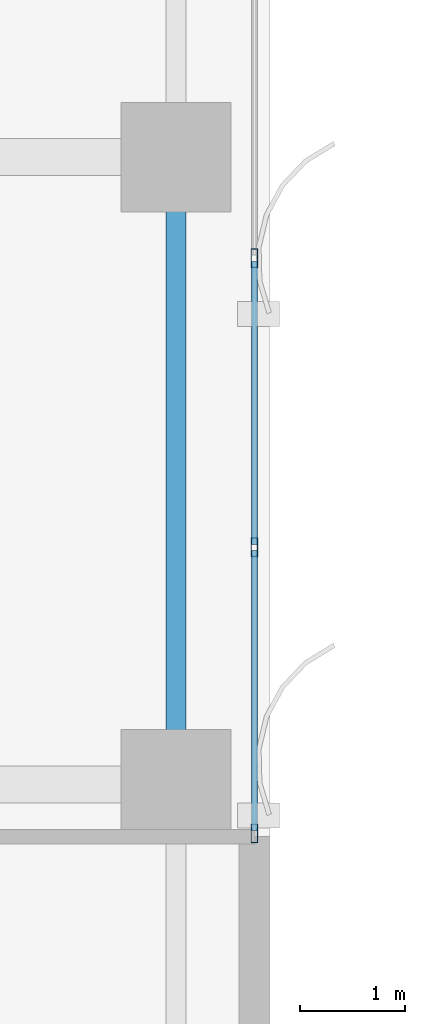
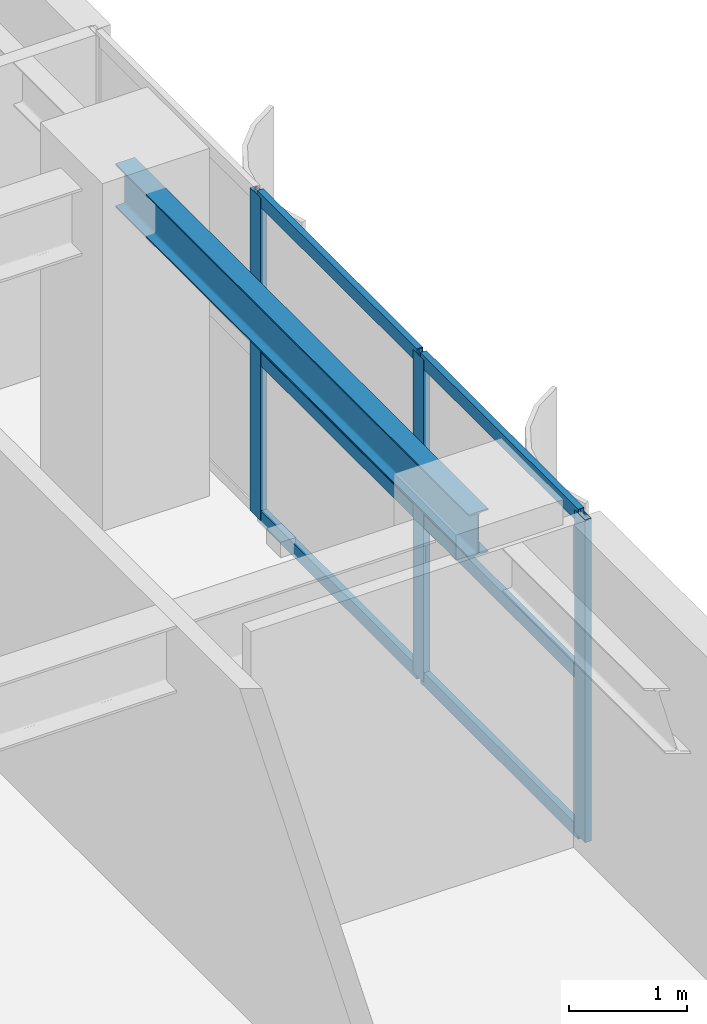
# One storey, part 6 of 22: 9 members, 1 beam, 1 element without a shape of its own.
"""IFC4 building model written with IfcOpenShell, lengths in metres."""

from ifc_helpers import new_model, si_unit, direction, frame, origin, origin_2d, place, context, subcontext, project, spatial, hollow_rectangle, i_section, extrude, source, transform, mapped, material, layer, layer_set, material_profile, profile_set, type_object, element, aggregate, save


model = new_model("IFC4")

# Units and contexts
model_context = context("Model", 3, precision=1e-05, world=origin(), true_north=direction((0.0, 1.0)))
body_context = subcontext(model_context, "Body", "Model", "MODEL_VIEW")
ifc_project = project(units=[si_unit("LENGTHUNIT", "METRE"), si_unit("AREAUNIT", "SQUARE_METRE"), si_unit("VOLUMEUNIT", "CUBIC_METRE"), si_unit("PLANEANGLEUNIT", "RADIAN"), si_unit("MASSUNIT", "GRAM", prefix="KILO")], contexts=[model_context])

# Site, building, storey
site_placement = place(None, origin())
site = spatial("IfcSite", under=ifc_project, at=site_placement, CompositionType="ELEMENT")
building_placement = place(site_placement, origin())
building = spatial("IfcBuilding", under=site, at=building_placement, Name="Khoralis Quay Care Tower", CompositionType="ELEMENT")
storey_placement = place(building_placement, frame((0.0, 0.0, 94.5)))
storey = spatial("IfcBuildingStorey", under=building, at=storey_placement, Name="L24", CompositionType="ELEMENT", Elevation=94.5)

# Beam
ifc_material_1 = material(Name="Steel S355", Category="steel")
ifc_material_profile_1 = material_profile(ifc_material_1, i_section(OverallWidth=0.18994140625, OverallDepth=0.449951171875, WebThickness=0.009521484375, FlangeThickness=0.0146484375, FilletRadius=0.02099609375, at=origin_2d()), Name="Steel S355")
ifc_profile_set_1 = profile_set([ifc_material_profile_1], Name="Steel S355")
beam_type = type_object("IfcBeamType", Name="BM-IPE450", PredefinedType="SPANDREL", material=ifc_profile_set_1)
shared_shape_1 = source(origin(), body_context, "Body", "SweptSolid", [
    extrude(i_section(OverallWidth=0.18994140625, OverallDepth=0.449951171875, WebThickness=0.009521484375, FlangeThickness=0.0146484375, FilletRadius=0.02099609375, at=origin_2d()), origin(), (0.0, 0.0, 1.0), 6.0),
])
beam_placement = place(storey_placement, frame((44.10009765625, 18.0, 3.114990234375), z_axis=(0.0, 1.0, 0.0), x_axis=(-1.0, 0.0, 0.0)))
element("IfcBeam", 1, at=beam_placement, inside=storey, type_object=beam_type, Name="BM-TSP-L24-18", PredefinedType="SPANDREL", context=body_context, shape_type="MappedRepresentation", body=[
    mapped(shared_shape_1, transform((0.0, 0.0, 0.0), scale=1.0)),
])

# Curtain wall, members
ifc_material_2 = material(Name="Pale anodised aluminium", Category="aluminium")
ifc_layer = layer(ifc_material_2, 0.169921875)
ifc_layer_set = layer_set([ifc_layer], Name="Pale anodised aluminium")
curtain_wall_type = type_object("IfcCurtainWallType", Name="CW-SYS-Z2", PredefinedType="NOTDEFINED", material=ifc_layer_set)
curtain_wall_placement = place(storey_placement, origin())
curtain_wall = element("IfcCurtainWall", 2, at=curtain_wall_placement, inside=storey, type_object=curtain_wall_type, Name="L24 Unitised Curtain Wall CW-L24-P1-E5", PredefinedType="NOTDEFINED")
ifc_material_profile_2 = material_profile(ifc_material_2, hollow_rectangle(XDim=0.06494140625, YDim=0.179931640625, WallThickness=0.00390625, at=origin_2d()), Name="Pale anodised aluminium")
ifc_profile_set_2 = profile_set([ifc_material_profile_2], Name="Pale anodised aluminium")
member_type_1 = type_object("IfcMemberType", Name="CW-MUL-180", PredefinedType="MULLION", material=ifc_profile_set_2)
shared_shape_2 = source(origin(), body_context, "Body", "SweptSolid", [
    extrude(hollow_rectangle(XDim=0.06494140625, YDim=0.179931640625, WallThickness=0.00390625, at=origin_2d()), origin(), (0.0, 0.0, 1.0), 3.340087890625),
])
member_1_placement = place(storey_placement, frame((44.85009765625, 17.530029296875, 0.0), z_axis=(0.0, 0.0, 1.0), x_axis=(-1.0, 0.0, 0.0)))
member_1 = element("IfcMember", 3, at=member_1_placement, type_object=member_type_1, Name="CW2 mullion 1", PredefinedType="MULLION", context=body_context, shape_type="MappedRepresentation", body=[
    mapped(shared_shape_2, transform((0.0, 0.0, 0.0), scale=1.0)),
])
member_2_placement = place(storey_placement, frame((44.85009765625, 20.2666015625, 0.0), z_axis=(0.0, 0.0, 1.0), x_axis=(-1.0, 0.0, 0.0)))
member_2 = element("IfcMember", 4, at=member_2_placement, type_object=member_type_1, Name="CW2 mullion 2", PredefinedType="MULLION", context=body_context, shape_type="MappedRepresentation", body=[
    mapped(shared_shape_2, transform((0.0, 0.0, 0.0), scale=1.0)),
])
member_3_placement = place(storey_placement, frame((44.85009765625, 23.033447265625, 0.0), z_axis=(0.0, 0.0, 1.0), x_axis=(-1.0, 0.0, 0.0)))
member_3 = element("IfcMember", 5, at=member_3_placement, type_object=member_type_1, Name="CW2 mullion 3", PredefinedType="MULLION", context=body_context, shape_type="MappedRepresentation", body=[
    mapped(shared_shape_2, transform((0.0, 0.0, 0.0), scale=1.0)),
])
ifc_material_profile_3 = material_profile(ifc_material_2, hollow_rectangle(XDim=0.06005859375, YDim=0.139892578125, WallThickness=0.00390625, at=origin_2d()), Name="Pale anodised aluminium")
ifc_profile_set_3 = profile_set([ifc_material_profile_3], Name="Pale anodised aluminium")
member_type_2 = type_object("IfcMemberType", Name="CW-TRN-140", PredefinedType="USERDEFINED", material=ifc_profile_set_3)
shared_shape_3 = source(origin(), body_context, "Body", "SweptSolid", [
    extrude(hollow_rectangle(XDim=0.06005859375, YDim=0.139892578125, WallThickness=0.00390625, at=origin_2d()), origin(), (0.0, 0.0, 1.0), 2.676513671875),
])
member_4_placement = place(storey_placement, frame((44.85009765625, 17.56005859375, 0.030029296875), z_axis=(0.0, 1.0, 0.0), x_axis=(-1.0, 0.0, 0.0)))
member_4 = element("IfcMember", 6, at=member_4_placement, type_object=member_type_2, Name="CW2 transom 1.1", ObjectType="TRANSOM", PredefinedType="USERDEFINED", context=body_context, shape_type="MappedRepresentation", body=[
    mapped(shared_shape_3, transform((0.0, 0.0, 0.0), scale=1.0)),
])
member_5_placement = place(storey_placement, frame((44.85009765625, 17.56005859375, 1.669921875), z_axis=(0.0, 1.0, 0.0), x_axis=(-1.0, 0.0, 0.0)))
member_5 = element("IfcMember", 7, at=member_5_placement, type_object=member_type_2, Name="CW2 transom 1.2", ObjectType="TRANSOM", PredefinedType="USERDEFINED", context=body_context, shape_type="MappedRepresentation", body=[
    mapped(shared_shape_3, transform((0.0, 0.0, 0.0), scale=1.0)),
])
member_6_placement = place(storey_placement, frame((44.85009765625, 17.56005859375, 3.31005859375), z_axis=(0.0, 1.0, 0.0), x_axis=(-1.0, 0.0, 0.0)))
member_6 = element("IfcMember", 8, at=member_6_placement, type_object=member_type_2, Name="CW2 transom 1.3", ObjectType="TRANSOM", PredefinedType="USERDEFINED", context=body_context, shape_type="MappedRepresentation", body=[
    mapped(shared_shape_3, transform((0.0, 0.0, 0.0), scale=1.0)),
])
shared_shape_4 = source(origin(), body_context, "Body", "SweptSolid", [
    extrude(hollow_rectangle(XDim=0.06005859375, YDim=0.139892578125, WallThickness=0.00390625, at=origin_2d()), origin(), (0.0, 0.0, 1.0), 2.706787109375),
])
member_7_placement = place(storey_placement, frame((44.85009765625, 20.296630859375, 0.030029296875), z_axis=(0.0, 1.0, 0.0), x_axis=(-1.0, 0.0, 0.0)))
member_7 = element("IfcMember", 9, at=member_7_placement, type_object=member_type_2, Name="CW2 transom 2.1", ObjectType="TRANSOM", PredefinedType="USERDEFINED", context=body_context, shape_type="MappedRepresentation", body=[
    mapped(shared_shape_4, transform((0.0, 0.0, 0.0), scale=1.0)),
])
member_8_placement = place(storey_placement, frame((44.85009765625, 20.296630859375, 1.669921875), z_axis=(0.0, 1.0, 0.0), x_axis=(-1.0, 0.0, 0.0)))
member_8 = element("IfcMember", 10, at=member_8_placement, type_object=member_type_2, Name="CW2 transom 2.2", ObjectType="TRANSOM", PredefinedType="USERDEFINED", context=body_context, shape_type="MappedRepresentation", body=[
    mapped(shared_shape_4, transform((0.0, 0.0, 0.0), scale=1.0)),
])
member_9_placement = place(storey_placement, frame((44.85009765625, 20.296630859375, 3.31005859375), z_axis=(0.0, 1.0, 0.0), x_axis=(-1.0, 0.0, 0.0)))
member_9 = element("IfcMember", 11, at=member_9_placement, type_object=member_type_2, Name="CW2 transom 2.3", ObjectType="TRANSOM", PredefinedType="USERDEFINED", context=body_context, shape_type="MappedRepresentation", body=[
    mapped(shared_shape_4, transform((0.0, 0.0, 0.0), scale=1.0)),
])
aggregate(curtain_wall, [member_1, member_2, member_3, member_4, member_5, member_6, member_7, member_8, member_9])

save(model, "model.ifc")
